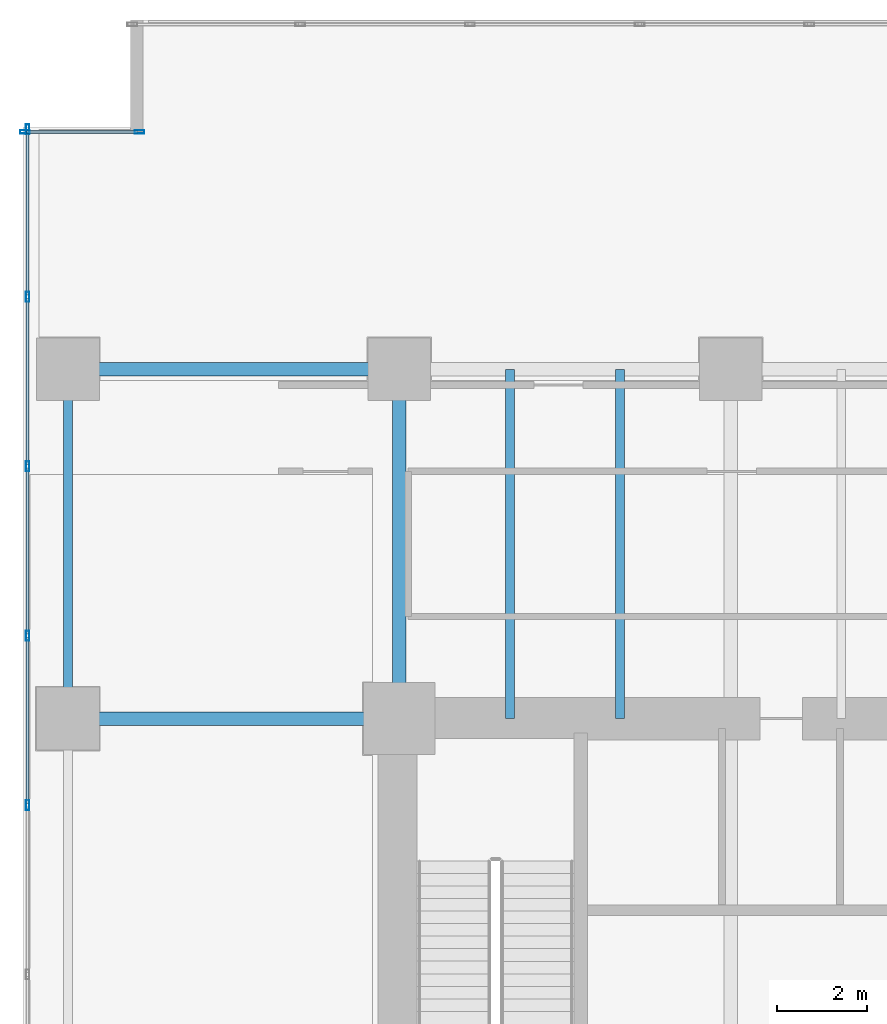
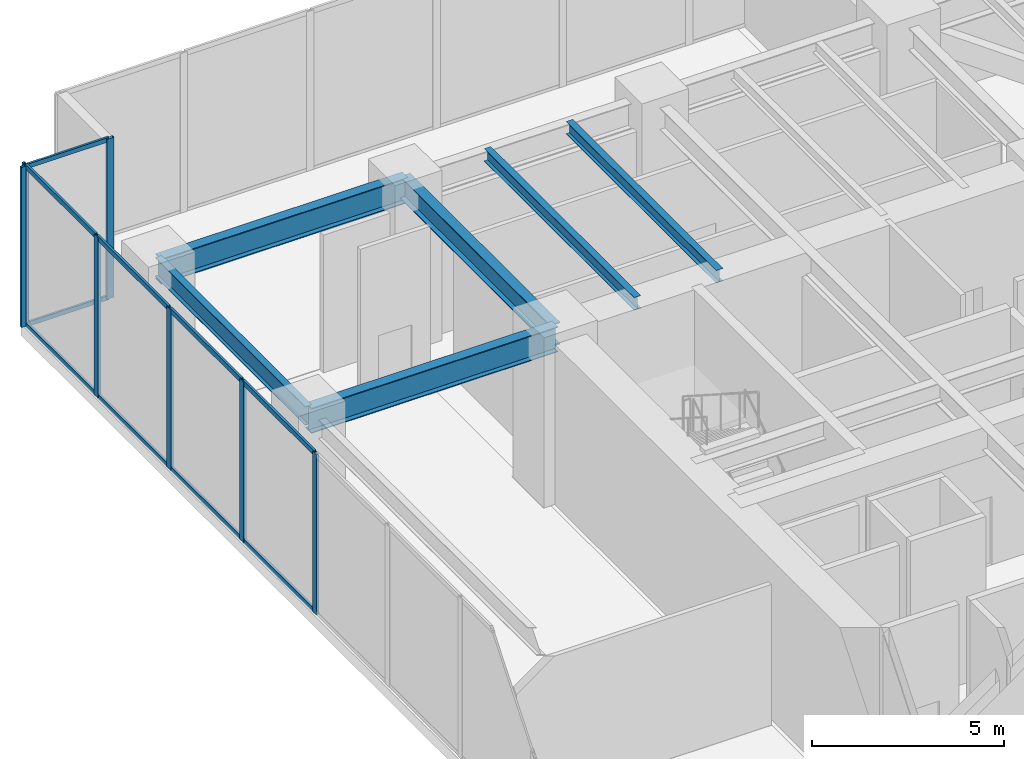
# One storey, part 12 of 35: 17 members, 6 beams, 2 elements without a shape of their own.
"""IFC4 building model written with IfcOpenShell, lengths in metres."""

from ifc_helpers import new_model, si_unit, direction, frame, origin, origin_2d, place, context, subcontext, project, spatial, hollow_rectangle, i_section, extrude, source, transform, mapped, material, layer, layer_set, material_profile, profile_set, type_object, type_shapes, element, aggregate, save


model = new_model("IFC4")

# Units and contexts
model_context = context("Model", 3, precision=1e-05, world=origin(), true_north=direction((0.0, 1.0)))
body_context = subcontext(model_context, "Body", "Model", "MODEL_VIEW")
ifc_project = project(units=[si_unit("LENGTHUNIT", "METRE"), si_unit("AREAUNIT", "SQUARE_METRE"), si_unit("VOLUMEUNIT", "CUBIC_METRE"), si_unit("PLANEANGLEUNIT", "RADIAN"), si_unit("MASSUNIT", "GRAM", prefix="KILO")], contexts=[model_context])

# Site, building, storey
site_placement = place(None, origin())
site = spatial("IfcSite", under=ifc_project, at=site_placement, CompositionType="ELEMENT")
building_placement = place(site_placement, origin())
building = spatial("IfcBuilding", under=site, at=building_placement, Name="Haelvirn Gate Laboratories", CompositionType="ELEMENT")
storey_placement = place(building_placement, frame((0.0, 0.0, 19.800048828125)))
storey = spatial("IfcBuildingStorey", under=building, at=storey_placement, Name="L05", CompositionType="ELEMENT", Elevation=19.800048828125)

# Beams
ifc_material_1 = material(Name="Steel SM420", Category="steel")
ifc_material_profile_1 = material_profile(ifc_material_1, i_section(OverallWidth=0.300048828125, OverallDepth=0.800048828125, WebThickness=0.013916015625, FlangeThickness=0.02587890625, at=origin_2d()), Name="H-800x300x14x26")
ifc_profile_set_1 = profile_set([ifc_material_profile_1], Name="Steel SM420")
beam_type_1 = type_object("IfcBeamType", Name="BM-G-800", PredefinedType="BEAM", material=ifc_profile_set_1)
shared_shape_1 = source(origin(), body_context, "Body", "SweptSolid", [
    extrude(i_section(OverallWidth=0.300048828125, OverallDepth=0.800048828125, WebThickness=0.013916015625, FlangeThickness=0.02587890625, at=origin_2d()), origin(), (0.0, 0.0, 1.0), 7.39990234375),
])
type_shapes(beam_type_1, [shared_shape_1])
for number, where, z_axis, x_axis, name in (
    (1, (0.0, 33.800048828125, 4.679931640625), (1.0, 0.0, 0.0), (0.0, 1.0, 0.0), "L05 Primary Girder Y33.8 (0.0-7.4)"),
    (2, (0.0, 41.60009765625, 4.679931640625), (1.0, 0.0, 0.0), (0.0, 1.0, 0.0), "L05 Primary Girder Y41.6 (0.0-7.4)"),
):
    element("IfcBeam", number, at=place(storey_placement, frame(where, z_axis=z_axis, x_axis=x_axis)), inside=storey, type_object=beam_type_1, Name=name, PredefinedType="BEAM", context=body_context, shape_type="MappedRepresentation", body=[
        mapped(shared_shape_1, transform((0.0, 0.0, 0.0), scale=1.0)),
    ])
ifc_material_2 = material(Name="Steel SM355", Category="steel")
ifc_material_profile_2 = material_profile(ifc_material_2, i_section(OverallWidth=0.199951171875, OverallDepth=0.60009765625, WebThickness=0.010986328125, FlangeThickness=0.01708984375, at=origin_2d()), Name="H-600x200x11x17")
ifc_profile_set_2 = profile_set([ifc_material_profile_2], Name="Steel SM355")
beam_type_2 = type_object("IfcBeamType", Name="BM-SP-600", PredefinedType="SPANDREL", material=ifc_profile_set_2)
shared_shape_2 = source(origin(), body_context, "Body", "SweptSolid", [
    extrude(i_section(OverallWidth=0.199951171875, OverallDepth=0.60009765625, WebThickness=0.010986328125, FlangeThickness=0.01708984375, at=origin_2d()), origin(), (0.0, 0.0, 1.0), 7.800048828125),
])
type_shapes(beam_type_2, [shared_shape_2])
beam_1_placement = place(storey_placement, frame((0.0, 33.800048828125, 4.780029296875), z_axis=(0.0, 1.0, 0.0), x_axis=(-1.0, 0.0, 0.0)))
element("IfcBeam", 3, at=beam_1_placement, inside=storey, type_object=beam_type_2, Name="L05 Perimeter Spandrel X0.0 (33.8-41.6)", PredefinedType="SPANDREL", context=body_context, shape_type="MappedRepresentation", body=[
    mapped(shared_shape_2, transform((0.0, 0.0, 0.0), scale=1.0)),
])
ifc_material_profile_3 = material_profile(ifc_material_2, i_section(OverallWidth=0.199951171875, OverallDepth=0.39990234375, WebThickness=0.008056640625, FlangeThickness=0.012939453125, at=origin_2d()), Name="H-400x200x8x13")
ifc_profile_set_3 = profile_set([ifc_material_profile_3], Name="Steel SM355")
beam_type_3 = type_object("IfcBeamType", Name="BM-J-400", PredefinedType="JOIST", material=ifc_profile_set_3)
shared_shape_3 = source(origin(), body_context, "Body", "SweptSolid", [
    extrude(i_section(OverallWidth=0.199951171875, OverallDepth=0.39990234375, WebThickness=0.008056640625, FlangeThickness=0.012939453125, at=origin_2d()), origin(), (0.0, 0.0, 1.0), 7.800048828125),
])
type_shapes(beam_type_3, [shared_shape_3])
for number, where, z_axis, x_axis, name in (
    (4, (9.8701171875, 33.800048828125, 4.8798828125), (0.0, 1.0, 0.0), (-1.0, 0.0, 0.0), "L05 Composite Lab Joist North X9.87"),
    (5, (12.330078125, 33.800048828125, 4.8798828125), (0.0, 1.0, 0.0), (-1.0, 0.0, 0.0), "L05 Composite Lab Joist North X12.33"),
):
    element("IfcBeam", number, at=place(storey_placement, frame(where, z_axis=z_axis, x_axis=x_axis)), inside=storey, type_object=beam_type_3, Name=name, PredefinedType="JOIST", context=body_context, shape_type="MappedRepresentation", body=[
        mapped(shared_shape_3, transform((0.0, 0.0, 0.0), scale=1.0)),
    ])
ifc_material_profile_4 = material_profile(ifc_material_2, i_section(OverallWidth=0.300048828125, OverallDepth=0.699951171875, WebThickness=0.012939453125, FlangeThickness=0.02392578125, at=origin_2d()), Name="H-700x300x13x24")
ifc_profile_set_4 = profile_set([ifc_material_profile_4], Name="Steel SM355")
beam_type_4 = type_object("IfcBeamType", Name="BM-G-700", PredefinedType="BEAM", material=ifc_profile_set_4)
shared_shape_4 = source(origin(), body_context, "Body", "SweptSolid", [
    extrude(i_section(OverallWidth=0.300048828125, OverallDepth=0.699951171875, WebThickness=0.012939453125, FlangeThickness=0.02392578125, at=origin_2d()), origin(), (0.0, 0.0, 1.0), 7.800048828125),
])
type_shapes(beam_type_4, [shared_shape_4])
beam_2_placement = place(storey_placement, frame((7.39990234375, 33.800048828125, 4.72998046875), z_axis=(0.0, 1.0, 0.0), x_axis=(-1.0, 0.0, 0.0)))
element("IfcBeam", 6, at=beam_2_placement, inside=storey, type_object=beam_type_4, Name="L05 Frame Girder X7.4 (33.8-41.6)", PredefinedType="BEAM", context=body_context, shape_type="MappedRepresentation", body=[
    mapped(shared_shape_4, transform((0.0, 0.0, 0.0), scale=1.0)),
])

# Curtain wall, members
ifc_material_3 = material(Name="Anodised bronze unitised aluminium & triple low-E glass", Category="aluminium")
ifc_layer_1 = layer(ifc_material_3, 0.181884765625, Name="CW-SYS-5")
ifc_layer_set_1 = layer_set([ifc_layer_1], Name="Anodised bronze unitised aluminium & triple low-E glass")
curtain_wall_type_1 = type_object("IfcCurtainWallType", Name="CW-SYS-5", PredefinedType="NOTDEFINED", material=ifc_layer_set_1)
curtain_wall_1_placement = place(storey_placement, origin())
curtain_wall_1 = element("IfcCurtainWall", 7, at=curtain_wall_1_placement, inside=storey, type_object=curtain_wall_type_1, Name="L05 Unitised Curtain Wall CW-L05-P0-E08-1", PredefinedType="NOTDEFINED")
ifc_material_4 = material(Name="Extruded aluminium 6063-T6 (anodised bronze)", Category="aluminium")
ifc_material_profile_5 = material_profile(ifc_material_4, hollow_rectangle(XDim=0.06494140625, YDim=0.139892578125, WallThickness=0.00390625, at=origin_2d()), Name="CWT-140x65x4")
ifc_profile_set_5 = profile_set([ifc_material_profile_5], Name="Extruded aluminium 6063-T6 (anodised bronze)")
member_type_1 = type_object("IfcMemberType", Name="CWT-T140", PredefinedType="USERDEFINED", material=ifc_profile_set_5)
shared_shape_5 = source(origin(), body_context, "Body", "SweptSolid", [
    extrude(hollow_rectangle(XDim=0.06494140625, YDim=0.139892578125, WallThickness=0.00390625, at=origin_2d()), origin(), (0.0, 0.0, 1.0), 2.47998046875),
])
type_shapes(member_type_1, [shared_shape_5])
member_1_placement = place(storey_placement, frame((-0.919921875, 46.89990234375, 0.032470703125), z_axis=(1.0, 0.0, 0.0), x_axis=(0.0, 1.0, 0.0)))
member_1 = element("IfcMember", 8, at=member_1_placement, type_object=member_type_1, Name="CW5 transom 1.1", ObjectType="TRANSOM", PredefinedType="USERDEFINED", context=body_context, shape_type="MappedRepresentation", body=[
    mapped(shared_shape_5, transform((0.0, 0.0, 0.0), scale=1.0)),
])
member_2_placement = place(storey_placement, frame((-0.919921875, 46.89990234375, 5.04736328125), z_axis=(1.0, 0.0, 0.0), x_axis=(0.0, 1.0, 0.0)))
member_2 = element("IfcMember", 9, at=member_2_placement, type_object=member_type_1, Name="CW5 transom 1.2", ObjectType="TRANSOM", PredefinedType="USERDEFINED", context=body_context, shape_type="MappedRepresentation", body=[
    mapped(shared_shape_5, transform((0.0, 0.0, 0.0), scale=1.0)),
])

ifc_layer_2 = layer(ifc_material_3, 0.18798828125, Name="CW-SYS-1")
ifc_layer_set_2 = layer_set([ifc_layer_2], Name="Anodised bronze unitised aluminium & triple low-E glass")
curtain_wall_type_2 = type_object("IfcCurtainWallType", Name="CW-SYS-1", PredefinedType="NOTDEFINED", material=ifc_layer_set_2)
curtain_wall_2_placement = place(storey_placement, origin())
curtain_wall_2 = element("IfcCurtainWall", 10, at=curtain_wall_2_placement, inside=storey, type_object=curtain_wall_type_2, Name="L05 Unitised Curtain Wall CW-L05-P0-E09", PredefinedType="NOTDEFINED")
ifc_material_profile_6 = material_profile(ifc_material_4, hollow_rectangle(XDim=0.070068359375, YDim=0.159912109375, WallThickness=0.0048828125, at=origin_2d()), Name="CWT-160x70x5")
ifc_profile_set_6 = profile_set([ifc_material_profile_6], Name="Extruded aluminium 6063-T6 (anodised bronze)")
member_type_2 = type_object("IfcMemberType", Name="CWT-T160", PredefinedType="USERDEFINED", material=ifc_profile_set_6)
shared_shape_6 = source(origin(), body_context, "Body", "SweptSolid", [
    extrude(hollow_rectangle(XDim=0.070068359375, YDim=0.159912109375, WallThickness=0.0048828125, at=origin_2d()), origin(), (0.0, 0.0, 1.0), 3.663330078125),
])
member_3_placement = place(storey_placement, frame((-0.89990234375, 46.919921875, 0.034912109375), z_axis=(0.0, -1.0, 0.0), x_axis=(1.0, 0.0, 0.0)))
member_3 = element("IfcMember", 11, at=member_3_placement, type_object=member_type_2, Name="CW1 transom 1.1", ObjectType="TRANSOM", PredefinedType="USERDEFINED", context=body_context, shape_type="MappedRepresentation", body=[
    mapped(shared_shape_6, transform((0.0, 0.0, 0.0), scale=1.0)),
])
member_4_placement = place(storey_placement, frame((-0.89990234375, 46.919921875, 5.044921875), z_axis=(0.0, -1.0, 0.0), x_axis=(1.0, 0.0, 0.0)))
member_4 = element("IfcMember", 12, at=member_4_placement, type_object=member_type_2, Name="CW1 transom 1.2", ObjectType="TRANSOM", PredefinedType="USERDEFINED", context=body_context, shape_type="MappedRepresentation", body=[
    mapped(shared_shape_6, transform((0.0, 0.0, 0.0), scale=1.0)),
])
shared_shape_7 = source(origin(), body_context, "Body", "SweptSolid", [
    extrude(hollow_rectangle(XDim=0.070068359375, YDim=0.159912109375, WallThickness=0.0048828125, at=origin_2d()), origin(), (0.0, 0.0, 1.0), 3.703369140625),
])
type_shapes(member_type_2, [shared_shape_6, shared_shape_7])
member_5_placement = place(storey_placement, frame((-0.89990234375, 43.1767578125, 0.034912109375), z_axis=(0.0, -1.0, 0.0), x_axis=(1.0, 0.0, 0.0)))
member_5 = element("IfcMember", 13, at=member_5_placement, type_object=member_type_2, Name="CW1 transom 2.1", ObjectType="TRANSOM", PredefinedType="USERDEFINED", context=body_context, shape_type="MappedRepresentation", body=[
    mapped(shared_shape_7, transform((0.0, 0.0, 0.0), scale=1.0)),
])
member_6_placement = place(storey_placement, frame((-0.89990234375, 43.1767578125, 5.044921875), z_axis=(0.0, -1.0, 0.0), x_axis=(1.0, 0.0, 0.0)))
member_6 = element("IfcMember", 14, at=member_6_placement, type_object=member_type_2, Name="CW1 transom 2.2", ObjectType="TRANSOM", PredefinedType="USERDEFINED", context=body_context, shape_type="MappedRepresentation", body=[
    mapped(shared_shape_7, transform((0.0, 0.0, 0.0), scale=1.0)),
])
member_7_placement = place(storey_placement, frame((-0.89990234375, 39.393310546875, 0.034912109375), z_axis=(0.0, -1.0, 0.0), x_axis=(1.0, 0.0, 0.0)))
member_7 = element("IfcMember", 15, at=member_7_placement, type_object=member_type_2, Name="CW1 transom 3.1", ObjectType="TRANSOM", PredefinedType="USERDEFINED", context=body_context, shape_type="MappedRepresentation", body=[
    mapped(shared_shape_7, transform((0.0, 0.0, 0.0), scale=1.0)),
])
member_8_placement = place(storey_placement, frame((-0.89990234375, 39.393310546875, 5.044921875), z_axis=(0.0, -1.0, 0.0), x_axis=(1.0, 0.0, 0.0)))
member_8 = element("IfcMember", 16, at=member_8_placement, type_object=member_type_2, Name="CW1 transom 3.2", ObjectType="TRANSOM", PredefinedType="USERDEFINED", context=body_context, shape_type="MappedRepresentation", body=[
    mapped(shared_shape_7, transform((0.0, 0.0, 0.0), scale=1.0)),
])
member_9_placement = place(storey_placement, frame((-0.89990234375, 35.610107421875, 0.034912109375), z_axis=(0.0, -1.0, 0.0), x_axis=(1.0, 0.0, 0.0)))
member_9 = element("IfcMember", 17, at=member_9_placement, type_object=member_type_2, Name="CW1 transom 4.1", ObjectType="TRANSOM", PredefinedType="USERDEFINED", context=body_context, shape_type="MappedRepresentation", body=[
    mapped(shared_shape_7, transform((0.0, 0.0, 0.0), scale=1.0)),
])
member_10_placement = place(storey_placement, frame((-0.89990234375, 35.610107421875, 5.044921875), z_axis=(0.0, -1.0, 0.0), x_axis=(1.0, 0.0, 0.0)))
member_10 = element("IfcMember", 18, at=member_10_placement, type_object=member_type_2, Name="CW1 transom 4.2", ObjectType="TRANSOM", PredefinedType="USERDEFINED", context=body_context, shape_type="MappedRepresentation", body=[
    mapped(shared_shape_7, transform((0.0, 0.0, 0.0), scale=1.0)),
])

# Member
ifc_material_profile_7 = material_profile(ifc_material_4, hollow_rectangle(XDim=0.080078125, YDim=0.219970703125, WallThickness=0.006103515625, at=origin_2d()), Name="CWM-220x80x6")
ifc_profile_set_7 = profile_set([ifc_material_profile_7], Name="Extruded aluminium 6063-T6 (anodised bronze)")
member_type_3 = type_object("IfcMemberType", Name="CWM-T220", PredefinedType="MULLION", material=ifc_profile_set_7)
shared_shape_8 = source(origin(), body_context, "Body", "SweptSolid", [
    extrude(hollow_rectangle(XDim=0.080078125, YDim=0.219970703125, WallThickness=0.006103515625, at=origin_2d()), origin(), (0.0, 0.0, 1.0), 5.079833984375),
])
type_shapes(member_type_3, [shared_shape_8])
member_11_placement = place(storey_placement, frame((-0.9599609375, 46.89990234375, 0.0), z_axis=(0.0, 0.0, 1.0), x_axis=(0.0, 1.0, 0.0)))
member_11 = element("IfcMember", 19, at=member_11_placement, type_object=member_type_3, Name="CW5 mullion 1", PredefinedType="MULLION", context=body_context, shape_type="MappedRepresentation", body=[
    mapped(shared_shape_8, transform((0.0, 0.0, 0.0), scale=1.0)),
])

member_12_placement = place(storey_placement, frame((1.60009765625, 46.89990234375, 0.0), z_axis=(0.0, 0.0, 1.0), x_axis=(0.0, 1.0, 0.0)))
member_12 = element("IfcMember", 20, at=member_12_placement, type_object=member_type_3, Name="CW5 mullion 2", PredefinedType="MULLION", context=body_context, shape_type="MappedRepresentation", body=[
    mapped(shared_shape_8, transform((0.0, 0.0, 0.0), scale=1.0)),
])

aggregate(curtain_wall_1, [member_11, member_12, member_1, member_2])

member_13_placement = place(storey_placement, frame((-0.89990234375, 46.9599609375, 0.0), z_axis=(0.0, 0.0, 1.0), x_axis=(1.0, 0.0, 0.0)))
member_13 = element("IfcMember", 21, at=member_13_placement, type_object=member_type_3, Name="CW1 mullion 1", PredefinedType="MULLION", context=body_context, shape_type="MappedRepresentation", body=[
    mapped(shared_shape_8, transform((0.0, 0.0, 0.0), scale=1.0)),
])

member_14_placement = place(storey_placement, frame((-0.89990234375, 43.216552734375, 0.0), z_axis=(0.0, 0.0, 1.0), x_axis=(1.0, 0.0, 0.0)))
member_14 = element("IfcMember", 22, at=member_14_placement, type_object=member_type_3, Name="CW1 mullion 2", PredefinedType="MULLION", context=body_context, shape_type="MappedRepresentation", body=[
    mapped(shared_shape_8, transform((0.0, 0.0, 0.0), scale=1.0)),
])

member_15_placement = place(storey_placement, frame((-0.89990234375, 39.433349609375, 0.0), z_axis=(0.0, 0.0, 1.0), x_axis=(1.0, 0.0, 0.0)))
member_15 = element("IfcMember", 23, at=member_15_placement, type_object=member_type_3, Name="CW1 mullion 3", PredefinedType="MULLION", context=body_context, shape_type="MappedRepresentation", body=[
    mapped(shared_shape_8, transform((0.0, 0.0, 0.0), scale=1.0)),
])

member_16_placement = place(storey_placement, frame((-0.89990234375, 35.64990234375, 0.0), z_axis=(0.0, 0.0, 1.0), x_axis=(1.0, 0.0, 0.0)))
member_16 = element("IfcMember", 24, at=member_16_placement, type_object=member_type_3, Name="CW1 mullion 4", PredefinedType="MULLION", context=body_context, shape_type="MappedRepresentation", body=[
    mapped(shared_shape_8, transform((0.0, 0.0, 0.0), scale=1.0)),
])

member_17_placement = place(storey_placement, frame((-0.89990234375, 31.86669921875, 0.0), z_axis=(0.0, 0.0, 1.0), x_axis=(1.0, 0.0, 0.0)))
member_17 = element("IfcMember", 25, at=member_17_placement, type_object=member_type_3, Name="CW1 mullion 5", PredefinedType="MULLION", context=body_context, shape_type="MappedRepresentation", body=[
    mapped(shared_shape_8, transform((0.0, 0.0, 0.0), scale=1.0)),
])

aggregate(curtain_wall_2, [member_13, member_14, member_15, member_16, member_17, member_3, member_4, member_5, member_6, member_7, member_8, member_9, member_10])

save(model, "model.ifc")
